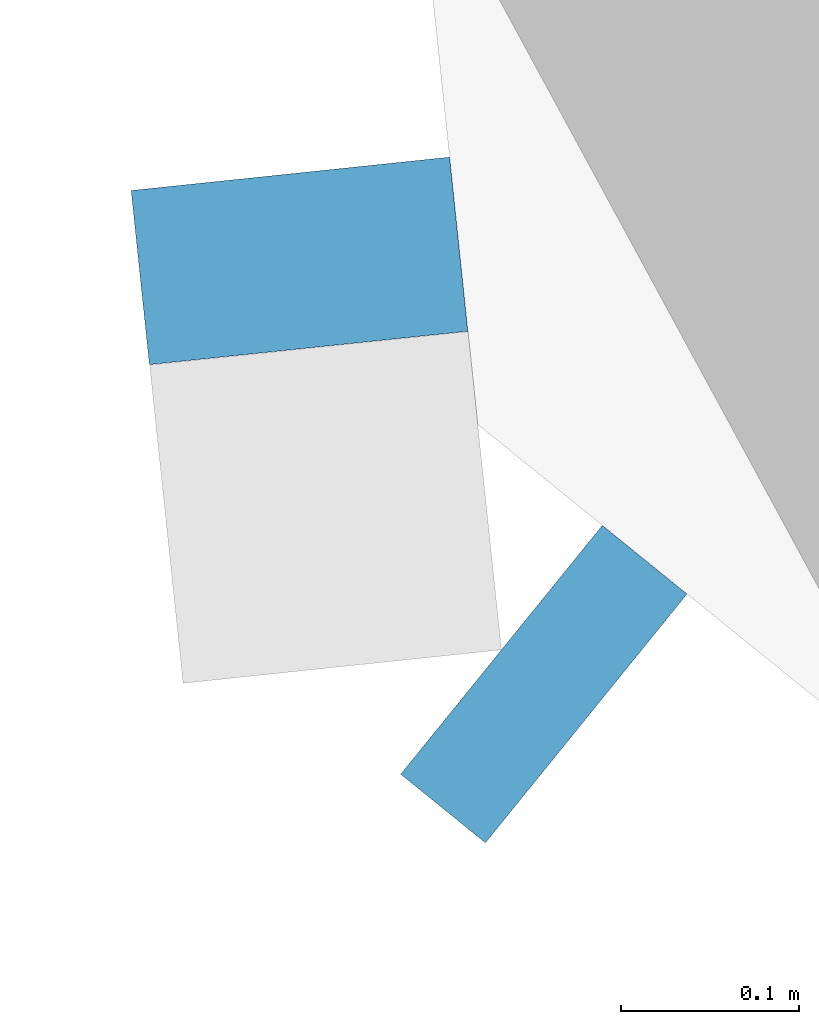
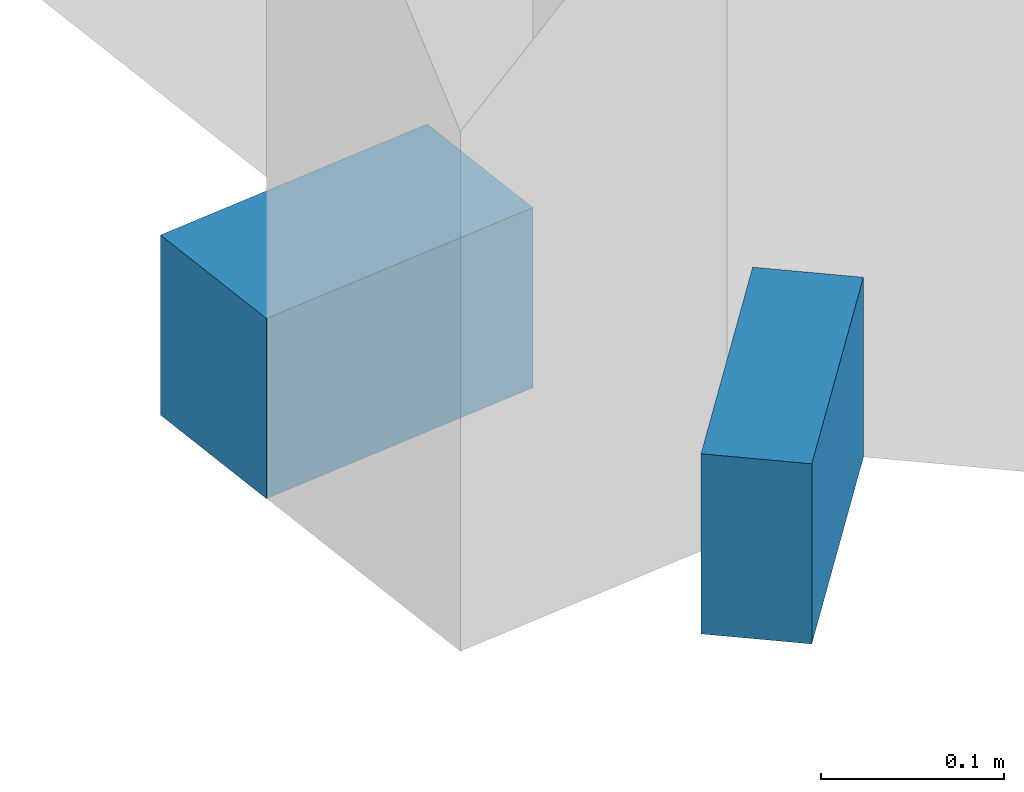
# One storey, part 12 of 25: 2 members, 2 elements without a shape of their own.
"""IFC4 building model written with IfcOpenShell, lengths in metres."""

from ifc_helpers import new_model, si_unit, direction, frame, origin, origin_2d, place, context, subcontext, project, spatial, rectangle, extrude, material, material_profile, profile_set, type_object, element, aggregate, save


model = new_model("IFC4")

# Units and contexts
model_context = context("Model", 3, precision=1e-05, world=origin(), true_north=direction((0.0, 1.0)))
body_context = subcontext(model_context, "Body", "Model", "MODEL_VIEW")
ifc_project = project(units=[si_unit("LENGTHUNIT", "METRE"), si_unit("AREAUNIT", "SQUARE_METRE"), si_unit("VOLUMEUNIT", "CUBIC_METRE"), si_unit("PLANEANGLEUNIT", "RADIAN"), si_unit("MASSUNIT", "GRAM", prefix="KILO")], contexts=[model_context])

# Site, building, storey
site_placement = place(None, origin())
site = spatial("IfcSite", under=ifc_project, at=site_placement, CompositionType="ELEMENT")
building_placement = place(site_placement, origin())
building = spatial("IfcBuilding", under=site, at=building_placement, Name="Orlundy Tower", CompositionType="ELEMENT")
storey_placement = place(building_placement, frame((0.0, 0.0, 217.5)))
storey = spatial("IfcBuildingStorey", under=building, at=storey_placement, Name="L57", CompositionType="ELEMENT", Elevation=217.5)

# Curtain wall, member
ifc_material_1 = material(Name="Aluminium bronze anodised", Category="aluminium")
curtain_wall_type = type_object("IfcCurtainWallType", Name="CW1 wall", PredefinedType="NOTDEFINED", material=ifc_material_1)
curtain_wall_1_placement = place(storey_placement, origin())
curtain_wall_1 = element("IfcCurtainWall", 1, at=curtain_wall_1_placement, inside=storey, type_object=curtain_wall_type, Name="CW1 run 01", PredefinedType="NOTDEFINED")
ifc_material_2 = material(Name="Aluminium bronze anodised", Category="aluminium")
ifc_material_profile = material_profile(ifc_material_2, rectangle(XDim=0.179931640625, YDim=0.1201171875, at=origin_2d()), Name="CW1 transom 180x120")
ifc_profile_set = profile_set([ifc_material_profile], Name="Aluminium bronze anodised")
member_type = type_object("IfcMemberType", Name="CW1 transom 180x120", PredefinedType="USERDEFINED", material=ifc_profile_set)
member_1_placement = place(storey_placement, frame((-28.47607421875, -15.6591796875, -0.360107421875), z_axis=(-0.776966429431, 0.629542030001, 0.0), x_axis=(-0.629542030001, -0.776966429431, 0.0)))
member_1 = element("IfcMember", 2, at=member_1_placement, type_object=member_type, Name="CW1 transom", ObjectType="TRANSOM", PredefinedType="USERDEFINED", context=body_context, shape_type="SweptSolid", body=[
    extrude(rectangle(XDim=0.179931640625, YDim=0.1201171875, at=origin_2d()), origin(), (0.0, 0.0, 1.0), 0.061279296875),
])
aggregate(curtain_wall_1, [member_1])

curtain_wall_2_placement = place(storey_placement, origin())
curtain_wall_2 = element("IfcCurtainWall", 3, at=curtain_wall_2_placement, inside=storey, type_object=curtain_wall_type, Name="CW1 run 02", PredefinedType="NOTDEFINED")
member_2_placement = place(storey_placement, frame((-28.632080078125, -15.450927734375, -0.360107421875), z_axis=(-0.104168345469, 0.994559679357, 0.0), x_axis=(-0.994559679357, -0.104168345469, 0.0)))
member_2 = element("IfcMember", 4, at=member_2_placement, type_object=member_type, Name="CW1 transom", ObjectType="TRANSOM", PredefinedType="USERDEFINED", context=body_context, shape_type="SweptSolid", body=[
    extrude(rectangle(XDim=0.179931640625, YDim=0.1201171875, at=origin_2d()), origin(), (0.0, 0.0, 1.0), 0.098388671875),
])
aggregate(curtain_wall_2, [member_2])

save(model, "model.ifc")
